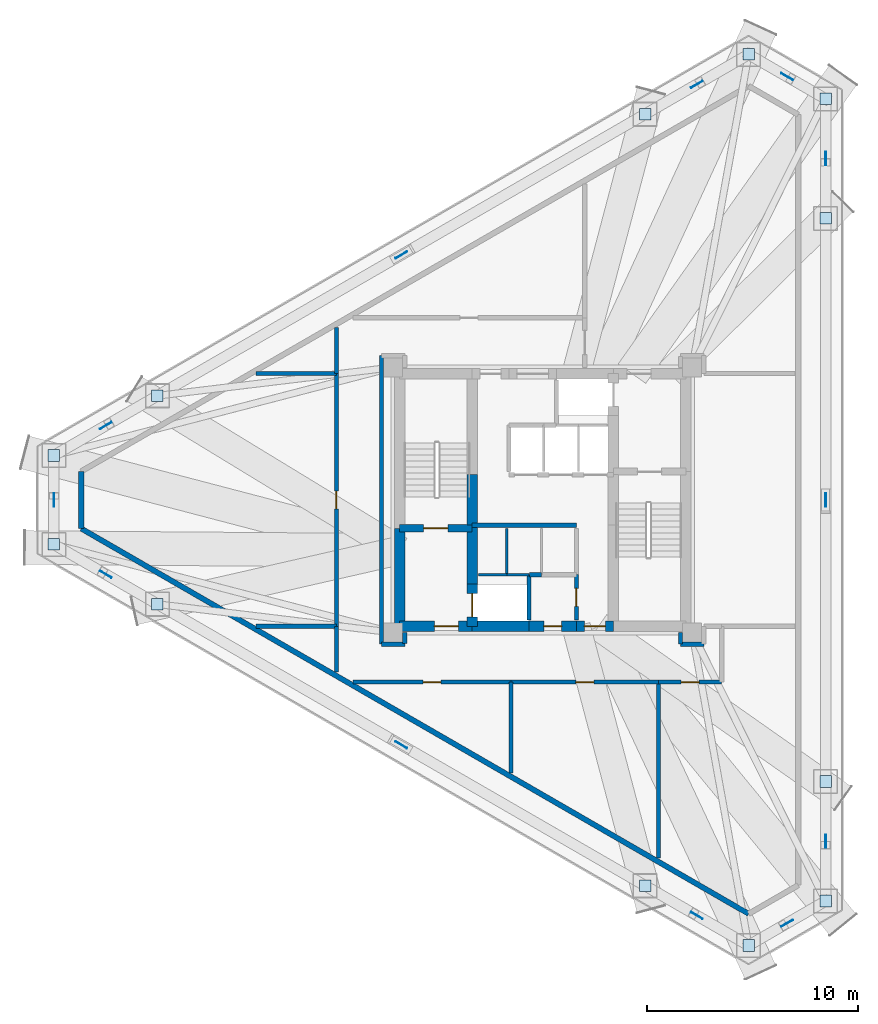
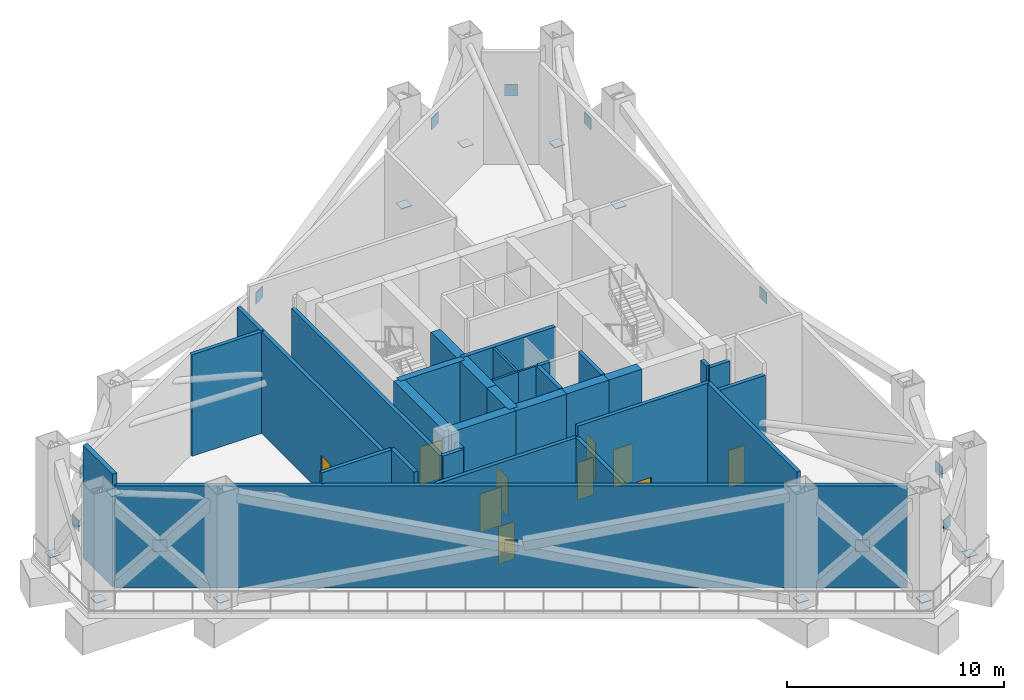
# One storey, part 3 of 7: 33 walls, 24 plates, 10 doors, 10 openings.
"""IFC4 building model written with IfcOpenShell, lengths in metres."""

import ifcopenshell
import ifcopenshell.guid

model = None  # the IFC model being written
_history = None  # IfcOwnerHistory: only IFC2X3 demands one
_inside = {}  # id of a spatial element -> (the spatial element, [elements in it])
_under = {}  # id of a project, library or spatial element -> (it, [spatial elements below it])
_declared = {}  # id of a project -> (the project, [libraries it declares])
_typed = {}  # id of a type object -> (the type object, [elements of that type])
_made_of = {}  # id of a material, layer set ... -> (it, [elements and type objects made of it])


def new_model(schema):
    """Start an empty IFC model of exactly this schema.

    Asked for "IFC4X3", IfcOpenShell would pick the latest addendum, in which some entities
    have other attributes; the version numbers below select the first issue.
    IFC2X3 requires an IfcOwnerHistory on every rooted entity: one is made here for all.
    """
    global model, _history
    if schema == "IFC4X3":
        model = ifcopenshell.file(schema_version=(4, 3, 0, 0))
    else:
        model = ifcopenshell.file(schema=schema)
    _inside.clear()
    _under.clear()
    _declared.clear()
    _typed.clear()
    _made_of.clear()
    _history = None
    if model.schema == "IFC2X3":
        org = make("IfcOrganization", Name="unknown")
        user = make(
            "IfcPersonAndOrganization",
            ThePerson=make("IfcPerson", FamilyName="unknown"),
            TheOrganization=org,
        )
        app = make(
            "IfcApplication",
            ApplicationDeveloper=org,
            Version="unknown",
            ApplicationFullName="unknown",
            ApplicationIdentifier="unknown",
        )
        _history = make(
            "IfcOwnerHistory",
            OwningUser=user,
            OwningApplication=app,
            ChangeAction="ADDED",
            CreationDate=0,
        )
    return model


def make(cls, **values):
    """One entity of the class cls with the attributes given. An attribute that is None is left unset."""
    return model.create_entity(
        cls, **{name: value for name, value in values.items() if value is not None}
    )


def rooted(cls, **values):
    """An entity with a GlobalId (a new one), such as an element, a storey or a relation."""
    return make(cls, GlobalId=ifcopenshell.guid.new(), OwnerHistory=_history, **values)


def si_unit(unit_type, name, prefix=None):
    """IfcSIUnit, for example si_unit("LENGTHUNIT", "METRE", prefix="MILLI")."""
    return make("IfcSIUnit", UnitType=unit_type, Prefix=prefix, Name=name)


def assignment(units):
    """IfcUnitAssignment: the units of a project."""
    return None if units is None else make("IfcUnitAssignment", Units=units)


def point(xyz):
    """IfcCartesianPoint."""
    return None if xyz is None else make("IfcCartesianPoint", Coordinates=xyz)


def direction(xyz):
    """IfcDirection."""
    return None if xyz is None else make("IfcDirection", DirectionRatios=xyz)


def frame(location, z_axis=None, x_axis=None):
    """IfcAxis2Placement3D, a coordinate frame: its origin and axes. An axis left out is left unset."""
    return make(
        "IfcAxis2Placement3D",
        Location=point(location),
        Axis=direction(z_axis),
        RefDirection=direction(x_axis),
    )


def frame_2d(location, x_axis=None):
    """IfcAxis2Placement2D, a coordinate frame in the plane: its origin and x axis."""
    return make(
        "IfcAxis2Placement2D", Location=point(location), RefDirection=direction(x_axis)
    )


def origin():
    """The frame at (0, 0, 0) with its axes left unset."""
    return frame((0.0, 0.0, 0.0))


def origin_2d():
    """The frame at (0, 0) in the plane with its x axis left unset."""
    return frame_2d((0.0, 0.0))


def place(relative_to, where):
    """IfcLocalPlacement: puts the frame where relative to a parent placement (None: the world)."""
    return make(
        "IfcLocalPlacement", PlacementRelTo=relative_to, RelativePlacement=where
    )


def context(
    kind, dimensions, precision=None, world=None, true_north=None, identifier=None
):
    """IfcGeometricRepresentationContext, for example the 3D "Model" context."""
    return make(
        "IfcGeometricRepresentationContext",
        ContextIdentifier=identifier,
        ContextType=kind,
        CoordinateSpaceDimension=dimensions,
        Precision=precision,
        WorldCoordinateSystem=world,
        TrueNorth=true_north,
    )


def subcontext(parent, identifier, kind, view, scale=None):
    """IfcGeometricRepresentationSubContext, for example "Body" below "Model"."""
    return make(
        "IfcGeometricRepresentationSubContext",
        ContextIdentifier=identifier,
        ContextType=kind,
        ParentContext=parent,
        TargetScale=scale,
        TargetView=view,
    )


def project(units=None, contexts=None):
    """IfcProject with its units and contexts."""
    return rooted(
        "IfcProject",
        Name="project",
        RepresentationContexts=contexts,
        UnitsInContext=assignment(units),
    )


def spatial(cls, under=None, at=None, **own):
    """A site, building, storey or space (cls), placed at a placement, below another one or the project."""
    s = rooted(cls, ObjectPlacement=at, **own)
    if under is not None:
        _under.setdefault(under.id(), (under, []))[1].append(s)
    return s


def profile(cls, at=None, kind="AREA", **sizes):
    """A parametric profile (cls). Its sizes go by their IFC names, for example OverallWidth=200.0."""
    return make(cls, ProfileType=kind, Position=at, **sizes)


def rectangle(**sizes):
    """IfcRectangleProfileDef."""
    return profile("IfcRectangleProfileDef", **sizes)


def extrude(swept, where, along, depth):
    """IfcExtrudedAreaSolid: the profile swept, set in the frame where, extruded along a direction by depth."""
    return make(
        "IfcExtrudedAreaSolid",
        SweptArea=swept,
        Position=where,
        ExtrudedDirection=direction(along),
        Depth=depth,
    )


def shape(context_of_items, identifier, shape_type, items):
    """IfcShapeRepresentation: the items that make up one representation, for example the "Body"."""
    return make(
        "IfcShapeRepresentation",
        ContextOfItems=context_of_items,
        RepresentationIdentifier=identifier,
        RepresentationType=shape_type,
        Items=items,
    )


def material(Name=None, Category=None):
    """IfcMaterial."""
    return make("IfcMaterial", Name=Name, Category=Category)


def layer(
    of_material, thickness, ventilated=None, Name=None, Category=None, Priority=None
):
    """IfcMaterialLayer: one layer of a wall or slab, of a material (None: an air gap)."""
    return make(
        "IfcMaterialLayer",
        Material=of_material,
        LayerThickness=thickness,
        IsVentilated=ventilated,
        Name=Name,
        Category=Category,
        Priority=Priority,
    )


def layer_set(layers, Name=None):
    """IfcMaterialLayerSet."""
    return make("IfcMaterialLayerSet", MaterialLayers=layers, LayerSetName=Name)


def made_of(thing, what):
    """Note that an element or type object is made of a material, layer set ...; save() writes the relation."""
    if what is not None:
        _made_of.setdefault(what.id(), (what, []))[1].append(thing)
    return thing


def type_object(cls, material=None, **own):
    """A type object (cls), such as IfcWallType, which elements share."""
    return made_of(rooted(cls, **own), material)


def element(
    cls,
    number,
    at=None,
    inside=None,
    cuts=None,
    type_object=None,
    material=None,
    context=None,
    identifier="Body",
    shape_type=None,
    held_by="IfcProductDefinitionShape",
    body=None,
    shapes=None,
    **own,
):
    """One element of the class cls, such as IfcWall. Its Tag is "e" and its number.

    at: its placement. inside: the storey or other place that contains it. cuts: it is an
    opening in that element (IfcRelVoidsElement). A single representation is given by context,
    identifier, shape_type and body (its items); several are given by shapes. held_by: the class
    of the entity that holds the representations. save() writes the other relations.
    """
    e = rooted(cls, Tag="e%d" % number, ObjectPlacement=at, **own)
    if body is not None:
        shapes = [shape(context, identifier, shape_type, body)]
    if shapes is not None:
        e.Representation = make(held_by, Representations=shapes)
    if inside is not None:
        _inside.setdefault(inside.id(), (inside, []))[1].append(e)
    if cuts is not None:
        rooted(
            "IfcRelVoidsElement", RelatingBuildingElement=cuts, RelatedOpeningElement=e
        )
    if type_object is not None:
        _typed.setdefault(type_object.id(), (type_object, []))[1].append(e)
    return made_of(e, material)


def fill(opening, filler):
    """IfcRelFillsElement: the door or window that sits in an opening."""
    return rooted(
        "IfcRelFillsElement",
        RelatingOpeningElement=opening,
        RelatedBuildingElement=filler,
    )


def aggregate(whole, parts):
    """IfcRelAggregates: a whole, such as a stair, and the parts it consists of."""
    return rooted("IfcRelAggregates", RelatingObject=whole, RelatedObjects=parts)


def save(model, path):
    """Write the relations noted so far, then the file.

    IfcRelAggregates (storeys below a building ...), IfcRelContainedInSpatialStructure (elements
    in a storey), IfcRelDefinesByType, IfcRelAssociatesMaterial and IfcRelDeclares: one each for
    every whole, place, type object, material and project.
    """
    for whole, parts in _under.values():
        aggregate(whole, parts)
    for where, things in _inside.values():
        rooted(
            "IfcRelContainedInSpatialStructure",
            RelatedElements=things,
            RelatingStructure=where,
        )
    for kind, things in _typed.values():
        rooted("IfcRelDefinesByType", RelatedObjects=things, RelatingType=kind)
    for what, things in _made_of.values():
        rooted("IfcRelAssociatesMaterial", RelatedObjects=things, RelatingMaterial=what)
    for by, libraries in _declared.values():
        rooted("IfcRelDeclares", RelatingContext=by, RelatedDefinitions=libraries)
    model.write(path)


model = new_model("IFC4")

# Units and contexts
model_context = context("Model", 3, precision=1e-05, world=origin(), true_north=direction((0.0, 1.0)))
body_context = subcontext(model_context, "Body", "Model", "MODEL_VIEW")
ifc_project = project(units=[si_unit("LENGTHUNIT", "METRE"), si_unit("AREAUNIT", "SQUARE_METRE"), si_unit("VOLUMEUNIT", "CUBIC_METRE"), si_unit("PLANEANGLEUNIT", "RADIAN"), si_unit("MASSUNIT", "GRAM", prefix="KILO")], contexts=[model_context])

# Site, building, storey
site_placement = place(None, origin())
site = spatial("IfcSite", under=ifc_project, at=site_placement, CompositionType="ELEMENT")
building_placement = place(site_placement, origin())
building = spatial("IfcBuilding", under=site, at=building_placement, Name="Mersakhor Tower and Convention Hall", CompositionType="ELEMENT")
storey_placement = place(building_placement, frame((0.0, 0.0, 66.89990234375)))
storey = spatial("IfcBuildingStorey", under=building, at=storey_placement, Name="L18", CompositionType="ELEMENT", Elevation=66.89990234375)

# Plates
ifc_material_1 = material(Name="Steel S355", Category="steel")
ifc_layer_1 = layer(ifc_material_1, 0.031982421875)
ifc_layer_set_1 = layer_set([ifc_layer_1], Name="Steel S355")
plate_type_1 = type_object("IfcPlateType", Name="PL-CAP-32", PredefinedType="SHEET", material=ifc_layer_set_1)
for number, where, z_axis, x_axis, name in (
    (1, (5.78662109375, 28.86083984375, 0.18408203125), (0.0, 0.0, 1.0), (1.0, 0.0, 0.0), "L18 Truss Node Cap Plate NC-01"),
    (2, (10.702392578125, 31.698974609375, 0.18408203125), (0.0, 0.0, 1.0), (1.0, 0.0, 0.0), "L18 Truss Node Cap Plate NC-02"),
    (3, (33.86279296875, 45.070556640625, 0.18408203125), (0.0, 0.0, 1.0), (1.0, 0.0, 0.0), "L18 Truss Node Cap Plate NC-03"),
    (4, (38.77880859375, 47.90869140625, 0.18408203125), (0.0, 0.0, 1.0), (1.0, 0.0, 0.0), "L18 Truss Node Cap Plate NC-04"),
    (5, (42.4345703125, 45.798095703125, 0.18408203125), (0.0, 0.0, 1.0), (1.0, 0.0, 0.0), "L18 Truss Node Cap Plate NC-05"),
    (6, (42.4345703125, 40.12158203125, 0.18408203125), (0.0, 0.0, 1.0), (1.0, 0.0, 0.0), "L18 Truss Node Cap Plate NC-06"),
    (7, (42.4345703125, 13.37841796875, 0.18408203125), (0.0, 0.0, 1.0), (1.0, 0.0, 0.0), "L18 Truss Node Cap Plate NC-07"),
    (8, (42.4345703125, 7.701904296875, 0.18408203125), (0.0, 0.0, 1.0), (1.0, 0.0, 0.0), "L18 Truss Node Cap Plate NC-08"),
    (9, (38.77880859375, 5.59130859375, 0.18408203125), (0.0, 0.0, 1.0), (1.0, 0.0, 0.0), "L18 Truss Node Cap Plate NC-09"),
    (10, (33.86279296875, 8.429443359375, 0.18408203125), (0.0, 0.0, 1.0), (1.0, 0.0, 0.0), "L18 Truss Node Cap Plate NC-10"),
    (11, (10.702392578125, 21.801025390625, 0.18408203125), (0.0, 0.0, 1.0), (1.0, 0.0, 0.0), "L18 Truss Node Cap Plate NC-11"),
    (12, (5.78662109375, 24.63916015625, 0.18408203125), (0.0, 0.0, 1.0), (1.0, 0.0, 0.0), "L18 Truss Node Cap Plate NC-12"),
):
    element("IfcPlate", number, at=place(storey_placement, frame(where, z_axis=z_axis, x_axis=x_axis)), inside=storey, type_object=plate_type_1, Name=name, PredefinedType="SHEET", context=body_context, shape_type="SweptSolid", body=[
        extrude(rectangle(XDim=0.550048828125, YDim=0.550048828125, at=origin_2d()), origin(), (0.0, 0.0, 1.0), 0.031982421875),
    ])
ifc_material_2 = material(Name="Steel S460", Category="steel")
ifc_layer_2 = layer(ifc_material_2, 0.0400390625)
ifc_layer_set_2 = layer_set([ifc_layer_2], Name="Steel S460")
plate_type_2 = type_object("IfcPlateType", Name="PL-GUSSET-40", PredefinedType="SHEET", material=ifc_layer_set_2)
for number, where, z_axis, x_axis, name in (
    (13, (8.24462890625, 30.27978515625, 2.88037109375), (0.0, 0.0, 1.0), (-0.866025403784, -0.5, 0.0), "L18 X-Brace Crossing Gusset Node Plate"),
    (14, (22.28271484375, 38.384765625, 2.88037109375), (0.0, 0.0, 1.0), (-0.866025403784, -0.5, 0.0), "L18 X-Brace Crossing Gusset Node Plate"),
    (15, (36.32080078125, 46.489501953125, 2.88037109375), (0.0, 0.0, 1.0), (-0.866025403784, -0.5, 0.0), "L18 X-Brace Crossing Gusset Node Plate"),
    (16, (40.606689453125, 46.853515625, 2.88037109375), (0.0, 0.0, 1.0), (-0.866025403784, 0.5, 0.0), "L18 X-Brace Crossing Gusset Node Plate"),
    (17, (42.4345703125, 42.9599609375, 2.88037109375), (0.0, 0.0, 1.0), (0.0, 1.0, 0.0), "L18 X-Brace Crossing Gusset Node Plate"),
    (18, (42.4345703125, 26.75, 2.88037109375), (0.0, 0.0, 1.0), (0.0, 1.0, 0.0), "L18 X-Brace Crossing Gusset Node Plate"),
    (19, (42.4345703125, 10.540283203125, 2.88037109375), (0.0, 0.0, 1.0), (0.0, 1.0, 0.0), "L18 X-Brace Crossing Gusset Node Plate"),
    (20, (40.606689453125, 6.646728515625, 2.88037109375), (0.0, 0.0, 1.0), (0.866025403784, 0.5, 0.0), "L18 X-Brace Crossing Gusset Node Plate"),
    (21, (36.32080078125, 7.01025390625, 2.88037109375), (0.0, 0.0, 1.0), (0.866025403784, -0.5, 0.0), "L18 X-Brace Crossing Gusset Node Plate"),
    (22, (22.28271484375, 15.115234375, 2.88037109375), (0.0, 0.0, 1.0), (0.866025403784, -0.5, 0.0), "L18 X-Brace Crossing Gusset Node Plate"),
    (23, (8.24462890625, 23.22021484375, 2.88037109375), (0.0, 0.0, 1.0), (0.866025403784, -0.5, 0.0), "L18 X-Brace Crossing Gusset Node Plate"),
    (24, (5.78662109375, 26.75, 2.88037109375), (0.0, 0.0, 1.0), (0.0, -1.0, 0.0), "L18 X-Brace Crossing Gusset Node Plate"),
):
    element("IfcPlate", number, at=place(storey_placement, frame(where, z_axis=z_axis, x_axis=x_axis)), inside=storey, type_object=plate_type_2, Name=name, PredefinedType="SHEET", context=body_context, shape_type="SweptSolid", body=[
        extrude(rectangle(XDim=0.639892578125, YDim=0.0400390625, at=origin_2d()), origin(), (0.0, 0.0, 1.0), 0.639892578125),
    ])

# Walls
ifc_material_3 = material(Name="Precast concrete C40/50", Category="concrete")
ifc_layer_3 = layer(ifc_material_3, 0.25)
ifc_layer_set_3 = layer_set([ifc_layer_3], Name="Precast concrete C40/50")
wall_type_1 = type_object("IfcWallType", Name="WL-EXT-250", PredefinedType="SOLIDWALL", material=ifc_layer_set_3)
wall_1_placement = place(storey_placement, frame((38.77880859375, 7.09228515625, 0.0), z_axis=(0.0, 0.0, 1.0), x_axis=(-0.866023716119, 0.500002923111, 0.0)))
element("IfcWall", 25, at=wall_1_placement, inside=storey, type_object=wall_type_1, Name="L18 Set-Back Refuge and Plant Enclosure Wall 5", PredefinedType="SOLIDWALL", context=body_context, shape_type="SweptSolid", body=[
    extrude(rectangle(XDim=36.594970703125, YDim=0.25, at=frame_2d((18.29736328125, 0.0))), origin(), (0.0, 0.0, 1.0), 5.722900390625),
])
wall_2_placement = place(storey_placement, frame((7.086669921875, 25.389892578125, 0.0), z_axis=(0.0, 0.0, 1.0), x_axis=(0.0, 1.0, 0.0)))
element("IfcWall", 26, at=wall_2_placement, inside=storey, type_object=wall_type_1, Name="L18 Set-Back Refuge and Plant Enclosure Wall 6", PredefinedType="SOLIDWALL", context=body_context, shape_type="SweptSolid", body=[
    extrude(rectangle(XDim=2.72021484375, YDim=0.25, at=frame_2d((1.360107421875, 0.0))), origin(), (0.0, 0.0, 1.0), 6.35009765625),
])
ifc_material_4 = material(Name="Lightweight gypsum partition", Category="other")
ifc_layer_4 = layer(ifc_material_4, 0.10009765625)
ifc_layer_set_4 = layer_set([ifc_layer_4], Name="Lightweight gypsum partition")
wall_type_2 = type_object("IfcWallType", Name="WL-PRT-100", PredefinedType="PARTITIONING", material=ifc_layer_set_4)
wall_3_placement = place(storey_placement, frame((27.300048828125, 23.199951171875, 0.0), z_axis=(0.0, 0.0, 1.0), x_axis=(1.0, 0.0, 0.0)))
element("IfcWall", 27, at=wall_3_placement, inside=storey, type_object=wall_type_2, Name="L18 Interior Partition Wall P-002", PredefinedType="PARTITIONING", context=body_context, shape_type="SweptSolid", body=[
    extrude(rectangle(XDim=1.050048828125, YDim=0.10009765625, at=frame_2d((0.52490234375, 0.0))), origin(), (0.0, 0.0, 1.0), 6.35009765625),
])
ifc_material_5 = material(Name="Gypsum board acoustic partition", Category="other")
ifc_layer_5 = layer(ifc_material_5, 0.125)
ifc_layer_set_5 = layer_set([ifc_layer_5], Name="Gypsum board acoustic partition")
wall_type_3 = type_object("IfcWallType", Name="WL-PRT-125", PredefinedType="PARTITIONING", material=ifc_layer_set_5)
wall_4_placement = place(storey_placement, frame((25.949951171875, 23.199951171875, 0.0), z_axis=(0.0, 0.0, 1.0), x_axis=(1.0, 0.0, 0.0)))
element("IfcWall", 28, at=wall_4_placement, inside=storey, type_object=wall_type_3, Name="L18 Interior Partition Wall P-001", PredefinedType="PARTITIONING", context=body_context, shape_type="SweptSolid", body=[
    extrude(rectangle(XDim=1.35009765625, YDim=0.125, at=frame_2d((0.675048828125, 0.0))), origin(), (0.0, 0.0, 1.0), 6.35009765625),
])
wall_5_placement = place(storey_placement, frame((27.300048828125, 25.39990234375, 0.0), z_axis=(0.0, 0.0, 1.0), x_axis=(0.0, -1.0, 0.0)))
element("IfcWall", 29, at=wall_5_placement, inside=storey, type_object=wall_type_3, Name="L18 Interior Partition Wall P-007", PredefinedType="PARTITIONING", context=body_context, shape_type="SweptSolid", body=[
    extrude(rectangle(XDim=2.199951171875, YDim=0.125, at=frame_2d((1.10009765625, 0.0))), origin(), (0.0, 0.0, 1.0), 6.35009765625),
])
ifc_material_6 = material(Name="Acoustic concrete blockwork and gypsum board", Category="masonry")
ifc_layer_6 = layer(ifc_material_6, 0.199951171875)
ifc_layer_set_6 = layer_set([ifc_layer_6], Name="Acoustic concrete blockwork and gypsum board")
wall_type_4 = type_object("IfcWallType", Name="WL-PRT-200", PredefinedType="PARTITIONING", material=ifc_layer_set_6)
wall_6_placement = place(storey_placement, frame((25.64990234375, 25.550048828125, 0.0), z_axis=(0.0, 0.0, 1.0), x_axis=(1.0, 0.0, 0.0)))
element("IfcWall", 30, at=wall_6_placement, inside=storey, type_object=wall_type_4, Name="L18 High-Rise Lift Bank Front Wall", PredefinedType="PARTITIONING", context=body_context, shape_type="SweptSolid", body=[
    extrude(rectangle(XDim=4.9501953125, YDim=0.199951171875, at=frame_2d((2.47509765625, 0.0))), origin(), (0.0, 0.0, 1.0), 6.35009765625),
])
wall_7_placement = place(storey_placement, frame((28.35009765625, 23.199951171875, 0.0), z_axis=(0.0, 0.0, 1.0), x_axis=(0.0, -1.0, 0.0)))
element("IfcWall", 31, at=wall_7_placement, inside=storey, type_object=wall_type_4, Name="L18 Interior Partition Wall P-003", PredefinedType="PARTITIONING", context=body_context, shape_type="SweptSolid", body=[
    extrude(rectangle(XDim=2.14990234375, YDim=0.199951171875, at=frame_2d((1.074951171875, 0.0))), origin(), (0.0, 0.0, 1.0), 6.35009765625),
])
wall_8_placement = place(storey_placement, frame((28.949951171875, 23.199951171875, 0.0), z_axis=(0.0, 0.0, 1.0), x_axis=(-1.0, 0.0, 0.0)))
element("IfcWall", 32, at=wall_8_placement, inside=storey, type_object=wall_type_4, Name="L18 Interior Partition Wall P-009", PredefinedType="PARTITIONING", context=body_context, shape_type="SweptSolid", body=[
    extrude(rectangle(XDim=0.570068359375, YDim=0.199951171875, at=frame_2d((0.28515625, 0.0))), origin(), (0.0, 0.0, 1.0), 6.35009765625),
])

# Wall, opening, door
wall_9_placement = place(storey_placement, frame((30.60009765625, 21.050048828125, 0.0), z_axis=(0.0, 0.0, 1.0), x_axis=(0.0, 1.0, 0.0)))
wall_9 = element("IfcWall", 33, at=wall_9_placement, inside=storey, type_object=wall_type_4, Name="L18 Interior Partition Wall P-017", PredefinedType="PARTITIONING", context=body_context, shape_type="SweptSolid", body=[
    extrude(rectangle(XDim=2.14990234375, YDim=0.199951171875, at=frame_2d((1.074951171875, 0.0))), origin(), (0.0, 0.0, 1.0), 6.35009765625),
])
opening_1_placement = place(wall_9_placement, frame((0.64990234375, 0.0, 0.0)))
opening_1 = element("IfcOpeningElement", 34, at=opening_1_placement, cuts=wall_9, Name="Opening SVD-01", PredefinedType="OPENING", context=body_context, shape_type="SweptSolid", body=[
    extrude(rectangle(XDim=0.85009765625, YDim=2.10009765625, at=frame_2d((0.425048828125, 1.050048828125))), frame((0.0, 0.10986328125, 0.0), z_axis=(0.0, -1.0, 0.0), x_axis=(1.0, 0.0, 0.0)), (0.0, 0.0, 1.0), 0.219970703125),
])
ifc_material_7 = material(Name="Fire-rated hardwood leaf and painted steel frame", Category="steel")
door_type_1 = type_object("IfcDoorType", Name="DR-INT-SVC-085x210", OperationType="NOTDEFINED", PredefinedType="DOOR", material=ifc_material_7)
door_1_placement = place(opening_1_placement, origin())
door_1 = element("IfcDoor", 35, at=door_1_placement, inside=storey, type_object=door_type_1, Name="L18 Central Passenger Lift Lobby to Core Electrical Switchgear Plant Room Door", OperationType="SINGLE_SWING_RIGHT", OverallHeight=2.10009765625, OverallWidth=0.85009765625, PredefinedType="DOOR", context=body_context, shape_type="SweptSolid", body=[
    extrude(rectangle(XDim=0.85009765625, YDim=2.10009765625, at=frame_2d((0.425048828125, 1.050048828125))), frame((0.0, 0.02490234375, 0.0), z_axis=(0.0, -1.0, 0.0), x_axis=(1.0, 0.0, 0.0)), (0.0, 0.0, 1.0), 0.050048828125),
])
fill(opening_1, door_1)

# Walls
wall_10_placement = place(storey_placement, frame((21.35009765625, 33.60009765625, 0.0), z_axis=(0.0, 0.0, 1.0), x_axis=(0.0, -1.0, 0.0)))
element("IfcWall", 36, at=wall_10_placement, inside=storey, type_object=wall_type_4, Name="L18 Interior Partition Wall P-022", PredefinedType="PARTITIONING", context=body_context, shape_type="SweptSolid", body=[
    extrude(rectangle(XDim=13.7001953125, YDim=0.199951171875, at=frame_2d((6.85009765625, 0.0))), origin(), (0.0, 0.0, 1.0), 5.722900390625),
])
wall_11_placement = place(storey_placement, frame((21.35009765625, 19.89990234375, 0.0), z_axis=(0.0, 0.0, 1.0), x_axis=(1.0, 0.0, 0.0)))
element("IfcWall", 37, at=wall_11_placement, inside=storey, type_object=wall_type_4, Name="L18 Interior Partition Wall P-023", PredefinedType="PARTITIONING", context=body_context, shape_type="SweptSolid", body=[
    extrude(rectangle(XDim=1.099853515625, YDim=0.199951171875, at=frame_2d((0.5498046875, 0.0))), origin(), (0.0, 0.0, 1.0), 5.722900390625),
])
wall_12_placement = place(storey_placement, frame((22.449951171875, 19.929931640625, 0.0), z_axis=(0.0, 0.0, 1.0), x_axis=(0.0, 1.0, 0.0)))
element("IfcWall", 38, at=wall_12_placement, inside=storey, type_object=wall_type_4, Name="L18 Interior Partition Wall P-024", PredefinedType="PARTITIONING", context=body_context, shape_type="SweptSolid", body=[
    extrude(rectangle(XDim=0.52001953125, YDim=0.199951171875, at=frame_2d((0.260009765625, 0.0))), origin(), (0.0, 0.0, 1.0), 5.722900390625),
])
wall_13_placement = place(storey_placement, frame((35.550048828125, 20.449951171875, 0.0), z_axis=(0.0, 0.0, 1.0), x_axis=(0.0, -1.0, 0.0)))
element("IfcWall", 39, at=wall_13_placement, inside=storey, type_object=wall_type_4, Name="L18 Interior Partition Wall P-025", PredefinedType="PARTITIONING", context=body_context, shape_type="SweptSolid", body=[
    extrude(rectangle(XDim=0.550048828125, YDim=0.199951171875, at=frame_2d((0.27490234375, 0.0))), origin(), (0.0, 0.0, 1.0), 5.79833984375),
])
wall_14_placement = place(storey_placement, frame((35.550048828125, 19.89990234375, 0.0), z_axis=(0.0, 0.0, 1.0), x_axis=(1.0, 0.0, 0.0)))
element("IfcWall", 40, at=wall_14_placement, inside=storey, type_object=wall_type_4, Name="L18 Interior Partition Wall P-026", PredefinedType="PARTITIONING", context=body_context, shape_type="SweptSolid", body=[
    extrude(rectangle(XDim=1.099853515625, YDim=0.199951171875, at=frame_2d((0.5498046875, 0.0))), origin(), (0.0, 0.0, 1.0), 5.722900390625),
])

# Wall, opening, door
wall_15_placement = place(storey_placement, frame((37.5, 18.10009765625, 0.0), z_axis=(0.0, 0.0, 1.0), x_axis=(-1.0, 0.0, 0.0)))
wall_15 = element("IfcWall", 41, at=wall_15_placement, inside=storey, type_object=wall_type_4, Name="L18 Interior Partition Wall P-030", PredefinedType="PARTITIONING", context=body_context, shape_type="SweptSolid", body=[
    extrude(rectangle(XDim=3.0, YDim=0.199951171875, at=frame_2d((1.5, 0.0))), origin(), (0.0, 0.0, 1.0), 5.722900390625),
])
opening_2_placement = place(wall_15_placement, frame((1.074951171875, 0.0, 0.0)))
opening_2 = element("IfcOpeningElement", 42, at=opening_2_placement, cuts=wall_15, Name="Opening SVD-01", PredefinedType="OPENING", context=body_context, shape_type="SweptSolid", body=[
    extrude(rectangle(XDim=0.85009765625, YDim=2.10009765625, at=frame_2d((0.425048828125, 1.050048828125))), frame((0.0, 0.10986328125, 0.0), z_axis=(0.0, -1.0, 0.0), x_axis=(1.0, 0.0, 0.0)), (0.0, 0.0, 1.0), 0.219970703125),
])
door_2_placement = place(opening_2_placement, origin())
door_2 = element("IfcDoor", 43, at=door_2_placement, inside=storey, type_object=door_type_1, Name="L18 L18 Mechanical Plant and Refuge Corridor to Domestic and Fire Booster Pump Plant Room Door", OperationType="SINGLE_SWING_LEFT", OverallHeight=2.10009765625, OverallWidth=0.85009765625, PredefinedType="DOOR", context=body_context, shape_type="SweptSolid", body=[
    extrude(rectangle(XDim=0.85009765625, YDim=2.10009765625, at=frame_2d((0.425048828125, 1.050048828125))), frame((0.0, 0.02490234375, 0.0), z_axis=(0.0, -1.0, 0.0), x_axis=(1.0, 0.0, 0.0)), (0.0, 0.0, 1.0), 0.050048828125),
])
fill(opening_2, door_2)

wall_16_placement = place(storey_placement, frame((34.5, 18.10009765625, 0.0), z_axis=(0.0, 0.0, 1.0), x_axis=(-1.0, 0.0, 0.0)))
wall_16 = element("IfcWall", 44, at=wall_16_placement, inside=storey, type_object=wall_type_4, Name="L18 Interior Partition Wall P-031", PredefinedType="PARTITIONING", context=body_context, shape_type="SweptSolid", body=[
    extrude(rectangle(XDim=7.0, YDim=0.199951171875, at=frame_2d((3.5, 0.0))), origin(), (0.0, 0.0, 1.0), 6.35009765625),
])
opening_3_placement = place(wall_16_placement, frame((3.074951171875, 0.0, 0.0)))
opening_3 = element("IfcOpeningElement", 45, at=opening_3_placement, cuts=wall_16, Name="Opening SVD-01", PredefinedType="OPENING", context=body_context, shape_type="SweptSolid", body=[
    extrude(rectangle(XDim=0.85009765625, YDim=2.10009765625, at=frame_2d((0.425048828125, 1.050048828125))), frame((0.0, 0.10986328125, 0.0), z_axis=(0.0, -1.0, 0.0), x_axis=(1.0, 0.0, 0.0)), (0.0, 0.0, 1.0), 0.219970703125),
])
door_3_placement = place(opening_3_placement, origin())
door_3 = element("IfcDoor", 46, at=door_3_placement, inside=storey, type_object=door_type_1, Name="L18 L18 Mechanical Plant and Refuge Corridor to Smoke Extract Fan Plant Room Door", OperationType="SINGLE_SWING_RIGHT", OverallHeight=2.10009765625, OverallWidth=0.85009765625, PredefinedType="DOOR", context=body_context, shape_type="SweptSolid", body=[
    extrude(rectangle(XDim=0.85009765625, YDim=2.10009765625, at=frame_2d((0.425048828125, 1.050048828125))), frame((0.0, 0.02490234375, 0.0), z_axis=(0.0, -1.0, 0.0), x_axis=(1.0, 0.0, 0.0)), (0.0, 0.0, 1.0), 0.050048828125),
])
fill(opening_3, door_3)

wall_17_placement = place(storey_placement, frame((27.5, 18.10009765625, 0.0), z_axis=(0.0, 0.0, 1.0), x_axis=(-1.0, 0.0, 0.0)))
wall_17 = element("IfcWall", 47, at=wall_17_placement, inside=storey, type_object=wall_type_4, Name="L18 Interior Partition Wall P-032", PredefinedType="PARTITIONING", context=body_context, shape_type="SweptSolid", body=[
    extrude(rectangle(XDim=7.51611328125, YDim=0.199951171875, at=frame_2d((3.758056640625, 0.0))), origin(), (0.0, 0.0, 1.0), 5.722900390625),
])
opening_4_placement = place(wall_17_placement, frame((3.3330078125, 0.0, 0.0)))
opening_4 = element("IfcOpeningElement", 48, at=opening_4_placement, cuts=wall_17, Name="Opening SVD-01", PredefinedType="OPENING", context=body_context, shape_type="SweptSolid", body=[
    extrude(rectangle(XDim=0.85009765625, YDim=2.10009765625, at=frame_2d((0.425048828125, 1.050048828125))), frame((0.0, 0.10986328125, 0.0), z_axis=(0.0, -1.0, 0.0), x_axis=(1.0, 0.0, 0.0)), (0.0, 0.0, 1.0), 0.219970703125),
])
door_4_placement = place(opening_4_placement, origin())
door_4 = element("IfcDoor", 49, at=door_4_placement, inside=storey, type_object=door_type_1, Name="L18 L18 Mechanical Plant and Refuge Corridor to HV Electrical Switchgear Plant Room Door", OperationType="SINGLE_SWING_LEFT", OverallHeight=2.10009765625, OverallWidth=0.85009765625, PredefinedType="DOOR", context=body_context, shape_type="SweptSolid", body=[
    extrude(rectangle(XDim=0.85009765625, YDim=2.10009765625, at=frame_2d((0.425048828125, 1.050048828125))), frame((0.0, 0.02490234375, 0.0), z_axis=(0.0, -1.0, 0.0), x_axis=(1.0, 0.0, 0.0)), (0.0, 0.0, 1.0), 0.050048828125),
])
fill(opening_4, door_4)

# Wall
wall_18_placement = place(storey_placement, frame((19.199951171875, 18.568115234375, 0.0), z_axis=(0.0, 0.0, 1.0), x_axis=(0.0, 1.0, 0.0)))
element("IfcWall", 50, at=wall_18_placement, inside=storey, type_object=wall_type_4, Name="L18 Interior Partition Wall P-033", PredefinedType="PARTITIONING", context=body_context, shape_type="SweptSolid", body=[
    extrude(rectangle(XDim=2.181884765625, YDim=0.199951171875, at=frame_2d((1.0908203125, 0.0))), origin(), (0.0, 0.0, 1.0), 6.35009765625),
])

# Wall, opening, door
wall_19_placement = place(storey_placement, frame((19.199951171875, 20.75, 0.0), z_axis=(0.0, 0.0, 1.0), x_axis=(0.0, 1.0, 0.0)))
wall_19 = element("IfcWall", 51, at=wall_19_placement, inside=storey, type_object=wall_type_4, Name="L18 Interior Partition Wall P-034", PredefinedType="PARTITIONING", context=body_context, shape_type="SweptSolid", body=[
    extrude(rectangle(XDim=12.0, YDim=0.199951171875, at=frame_2d((6.0, 0.0))), origin(), (0.0, 0.0, 1.0), 5.722900390625),
])
opening_5_placement = place(wall_19_placement, frame((5.574951171875, 0.0, 0.0)))
opening_5 = element("IfcOpeningElement", 52, at=opening_5_placement, cuts=wall_19, Name="Opening SVD-01", PredefinedType="OPENING", context=body_context, shape_type="SweptSolid", body=[
    extrude(rectangle(XDim=0.85009765625, YDim=2.10009765625, at=frame_2d((0.425048828125, 1.050048828125))), frame((0.0, 0.10986328125, 0.0), z_axis=(0.0, -1.0, 0.0), x_axis=(1.0, 0.0, 0.0)), (0.0, 0.0, 1.0), 0.219970703125),
])
door_5_placement = place(opening_5_placement, origin())
door_5 = element("IfcDoor", 53, at=door_5_placement, inside=storey, type_object=door_type_1, Name="L18 L18 Mechanical Plant and Refuge Corridor to Chilled Water Heat Exchanger Plant Room Door", OperationType="SINGLE_SWING_RIGHT", OverallHeight=2.10009765625, OverallWidth=0.85009765625, PredefinedType="DOOR", context=body_context, shape_type="SweptSolid", body=[
    extrude(rectangle(XDim=0.85009765625, YDim=2.10009765625, at=frame_2d((0.425048828125, 1.050048828125))), frame((0.0, 0.02490234375, 0.0), z_axis=(0.0, -1.0, 0.0), x_axis=(1.0, 0.0, 0.0)), (0.0, 0.0, 1.0), 0.050048828125),
])
fill(opening_5, door_5)

# Walls
wall_20_placement = place(storey_placement, frame((19.199951171875, 32.75, 0.0), z_axis=(0.0, 0.0, 1.0), x_axis=(0.0, 1.0, 0.0)))
element("IfcWall", 54, at=wall_20_placement, inside=storey, type_object=wall_type_4, Name="L18 Interior Partition Wall P-035", PredefinedType="PARTITIONING", context=body_context, shape_type="SweptSolid", body=[
    extrude(rectangle(XDim=2.181884765625, YDim=0.199951171875, at=frame_2d((1.0908203125, 0.0))), origin(), (0.0, 0.0, 1.0), 5.722900390625),
])
wall_21_placement = place(storey_placement, frame((15.39404296875, 32.75, 0.0), z_axis=(0.0, 0.0, 1.0), x_axis=(1.0, 0.0, 0.0)))
element("IfcWall", 55, at=wall_21_placement, inside=storey, type_object=wall_type_4, Name="L18 Interior Partition Wall P-041", PredefinedType="PARTITIONING", context=body_context, shape_type="SweptSolid", body=[
    extrude(rectangle(XDim=3.805908203125, YDim=0.199951171875, at=frame_2d((1.90283203125, 0.0))), origin(), (0.0, 0.0, 1.0), 5.722900390625),
])
wall_22_placement = place(storey_placement, frame((19.199951171875, 20.75, 0.0), z_axis=(0.0, 0.0, 1.0), x_axis=(-1.0, 0.0, 0.0)))
element("IfcWall", 56, at=wall_22_placement, inside=storey, type_object=wall_type_4, Name="L18 Interior Partition Wall P-042", PredefinedType="PARTITIONING", context=body_context, shape_type="SweptSolid", body=[
    extrude(rectangle(XDim=3.805908203125, YDim=0.199951171875, at=frame_2d((1.90283203125, 0.0))), origin(), (0.0, 0.0, 1.0), 6.35009765625),
])
wall_23_placement = place(storey_placement, frame((27.5, 18.10009765625, 0.0), z_axis=(0.0, 0.0, 1.0), x_axis=(0.0, -1.0, 0.0)))
element("IfcWall", 57, at=wall_23_placement, inside=storey, type_object=wall_type_4, Name="L18 Interior Partition Wall P-043", PredefinedType="PARTITIONING", context=body_context, shape_type="SweptSolid", body=[
    extrude(rectangle(XDim=4.323974609375, YDim=0.199951171875, at=frame_2d((2.162109375, 0.0))), origin(), (0.0, 0.0, 1.0), 5.722900390625),
])
wall_24_placement = place(storey_placement, frame((34.5, 18.10009765625, 0.0), z_axis=(0.0, 0.0, 1.0), x_axis=(0.0, -1.0, 0.0)))
element("IfcWall", 58, at=wall_24_placement, inside=storey, type_object=wall_type_4, Name="L18 Interior Partition Wall P-044", PredefinedType="PARTITIONING", context=body_context, shape_type="SweptSolid", body=[
    extrude(rectangle(XDim=8.365234375, YDim=0.199951171875, at=frame_2d((4.1826171875, 0.0))), origin(), (0.0, 0.0, 1.0), 6.35009765625),
])

# Wall, opening, door
ifc_material_8 = material(Name="Concrete C50/60", Category="concrete")
ifc_layer_7 = layer(ifc_material_8, 0.35009765625)
ifc_layer_set_7 = layer_set([ifc_layer_7], Name="Concrete C50/60")
wall_type_5 = type_object("IfcWallType", Name="WL-SHR-350", PredefinedType="SHEAR", material=ifc_layer_set_7)
wall_25_placement = place(storey_placement, frame((22.199951171875, 25.39990234375, 0.0), z_axis=(0.0, 0.0, 1.0), x_axis=(1.0, 0.0, 0.0)))
wall_25 = element("IfcWall", 59, at=wall_25_placement, inside=storey, type_object=wall_type_5, Name="L18 Core Wall CS-ST1-S", PredefinedType="SHEAR", context=body_context, shape_type="SweptSolid", body=[
    extrude(rectangle(XDim=3.449951171875, YDim=0.35009765625, at=frame_2d((1.72509765625, 0.0))), origin(), (0.0, 0.0, 1.0), 6.35009765625),
])
opening_6_placement = place(wall_25_placement, frame((1.14990234375, 0.0, 0.0)))
opening_6 = element("IfcOpeningElement", 60, at=opening_6_placement, cuts=wall_25, Name="Opening SD-01", PredefinedType="OPENING", context=body_context, shape_type="SweptSolid", body=[
    extrude(rectangle(XDim=1.14990234375, YDim=2.14990234375, at=frame_2d((0.574951171875, 1.074951171875))), frame((0.0, 0.18505859375, 0.0), z_axis=(0.0, -1.0, 0.0), x_axis=(1.0, 0.0, 0.0)), (0.0, 0.0, 1.0), 0.3701171875),
])
ifc_material_9 = material(Name="Fire-rated hardwood leaf and painted steel frame", Category="steel")
door_type_2 = type_object("IfcDoorType", Name="DR-INT-STAIR-115x215", OperationType="NOTDEFINED", PredefinedType="DOOR", material=ifc_material_9)
door_6_placement = place(opening_6_placement, origin())
door_6 = element("IfcDoor", 61, at=door_6_placement, inside=storey, type_object=door_type_2, Name="L18 Exit Stair ST-1 Enclosure Door", OperationType="SINGLE_SWING_LEFT", OverallHeight=2.14990234375, OverallWidth=1.14990234375, PredefinedType="DOOR", context=body_context, shape_type="SweptSolid", body=[
    extrude(rectangle(XDim=1.14990234375, YDim=2.14990234375, at=frame_2d((0.574951171875, 1.074951171875))), frame((0.0, 0.02490234375, 0.0), z_axis=(0.0, -1.0, 0.0), x_axis=(1.0, 0.0, 0.0)), (0.0, 0.0, 1.0), 0.050048828125),
])
fill(opening_6, door_6)

# Wall
ifc_material_10 = material(Name="Concrete C70/85", Category="concrete")
ifc_layer_8 = layer(ifc_material_10, 0.5)
ifc_layer_set_8 = layer_set([ifc_layer_8], Name="Concrete C70/85")
wall_type_6 = type_object("IfcWallType", Name="WL-SHR-500", PredefinedType="SHEAR", material=ifc_layer_set_8)
wall_26_placement = place(storey_placement, frame((22.199951171875, 20.75, 0.0), z_axis=(0.0, 0.0, 1.0), x_axis=(0.0, 1.0, 0.0)))
element("IfcWall", 62, at=wall_26_placement, inside=storey, type_object=wall_type_6, Name="L18 Core Wall CW-W1", PredefinedType="SHEAR", context=body_context, shape_type="SweptSolid", body=[
    extrude(rectangle(XDim=4.64990234375, YDim=0.5, at=frame_2d((2.324951171875, 0.0))), origin(), (0.0, 0.0, 1.0), 6.35009765625),
])

# Wall, opening, door
wall_27_placement = place(storey_placement, frame((32.35009765625, 20.75, 0.0), z_axis=(0.0, 0.0, 1.0), x_axis=(-1.0, 0.0, 0.0)))
wall_27 = element("IfcWall", 63, at=wall_27_placement, inside=storey, type_object=wall_type_6, Name="L18 Core Wall CW-S2A", PredefinedType="SHEAR", context=body_context, shape_type="SweptSolid", body=[
    extrude(rectangle(XDim=1.75, YDim=0.5, at=frame_2d((0.875, 0.0))), origin(), (0.0, 0.0, 1.0), 6.35009765625),
])
opening_7_placement = place(wall_27_placement, frame((0.375, 0.0, 0.0)))
opening_7 = element("IfcOpeningElement", 64, at=opening_7_placement, cuts=wall_27, Name="Opening CFD-01", PredefinedType="OPENING", context=body_context, shape_type="SweptSolid", body=[
    extrude(rectangle(XDim=1.0, YDim=2.14990234375, at=frame_2d((0.5, 1.074951171875))), frame((0.0, 0.260009765625, 0.0), z_axis=(0.0, -1.0, 0.0), x_axis=(1.0, 0.0, 0.0)), (0.0, 0.0, 1.0), 0.52001953125),
])
ifc_material_11 = material(Name="Fire-rated hardwood leaf and painted steel frame", Category="steel")
door_type_3 = type_object("IfcDoorType", Name="DR-CORE-FD-100x215", OperationType="NOTDEFINED", PredefinedType="DOOR", material=ifc_material_11)
door_7_placement = place(opening_7_placement, origin())
door_7 = element("IfcDoor", 65, at=door_7_placement, inside=storey, type_object=door_type_3, Name="L18 Lift Lobby South Corridor Door", OperationType="SINGLE_SWING_RIGHT", OverallHeight=2.14990234375, OverallWidth=1.0, PredefinedType="DOOR", context=body_context, shape_type="SweptSolid", body=[
    extrude(rectangle(XDim=1.0, YDim=2.14990234375, at=frame_2d((0.5, 1.074951171875))), frame((0.0, 0.02490234375, 0.0), z_axis=(0.0, -1.0, 0.0), x_axis=(1.0, 0.0, 0.0)), (0.0, 0.0, 1.0), 0.050048828125),
])
fill(opening_7, door_7)

wall_28_placement = place(storey_placement, frame((30.60009765625, 20.75, 0.0), z_axis=(0.0, 0.0, 1.0), x_axis=(-1.0, 0.0, 0.0)))
wall_28 = element("IfcWall", 66, at=wall_28_placement, inside=storey, type_object=wall_type_6, Name="L18 Core Wall CW-S2B", PredefinedType="SHEAR", context=body_context, shape_type="SweptSolid", body=[
    extrude(rectangle(XDim=2.25, YDim=0.5, at=frame_2d((1.125, 0.0))), origin(), (0.0, 0.0, 1.0), 6.35009765625),
])
opening_8_placement = place(wall_28_placement, frame((0.699951171875, 0.0, 0.0)))
opening_8 = element("IfcOpeningElement", 67, at=opening_8_placement, cuts=wall_28, Name="Opening SVD-01", PredefinedType="OPENING", context=body_context, shape_type="SweptSolid", body=[
    extrude(rectangle(XDim=0.85009765625, YDim=2.10009765625, at=frame_2d((0.425048828125, 1.050048828125))), frame((0.0, 0.260009765625, 0.0), z_axis=(0.0, -1.0, 0.0), x_axis=(1.0, 0.0, 0.0)), (0.0, 0.0, 1.0), 0.52001953125),
])
door_8_placement = place(opening_8_placement, origin())
door_8 = element("IfcDoor", 68, at=door_8_placement, inside=storey, type_object=door_type_1, Name="L18 L18 Mechanical Plant and Refuge Corridor to Core Electrical Switchgear Plant Room Door", OperationType="SINGLE_SWING_LEFT", OverallHeight=2.10009765625, OverallWidth=0.85009765625, PredefinedType="DOOR", context=body_context, shape_type="SweptSolid", body=[
    extrude(rectangle(XDim=0.85009765625, YDim=2.10009765625, at=frame_2d((0.425048828125, 1.050048828125))), frame((0.0, 0.02490234375, 0.0), z_axis=(0.0, -1.0, 0.0), x_axis=(1.0, 0.0, 0.0)), (0.0, 0.0, 1.0), 0.050048828125),
])
fill(opening_8, door_8)

# Wall
wall_29_placement = place(storey_placement, frame((28.35009765625, 20.75, 0.0), z_axis=(0.0, 0.0, 1.0), x_axis=(-1.0, 0.0, 0.0)))
element("IfcWall", 69, at=wall_29_placement, inside=storey, type_object=wall_type_6, Name="L18 Core Wall CW-S3", PredefinedType="SHEAR", context=body_context, shape_type="SweptSolid", body=[
    extrude(rectangle(XDim=2.7001953125, YDim=0.5, at=frame_2d((1.35009765625, 0.0))), origin(), (0.0, 0.0, 1.0), 6.35009765625),
])

# Wall, opening, door
wall_30_placement = place(storey_placement, frame((25.64990234375, 20.75, 0.0), z_axis=(0.0, 0.0, 1.0), x_axis=(-1.0, 0.0, 0.0)))
wall_30 = element("IfcWall", 70, at=wall_30_placement, inside=storey, type_object=wall_type_6, Name="L18 Core Wall CW-S4", PredefinedType="SHEAR", context=body_context, shape_type="SweptSolid", body=[
    extrude(rectangle(XDim=3.449951171875, YDim=0.5, at=frame_2d((1.72509765625, 0.0))), origin(), (0.0, 0.0, 1.0), 6.35009765625),
])
opening_9_placement = place(wall_30_placement, frame((0.64990234375, 0.0, 0.0)))
opening_9 = element("IfcOpeningElement", 71, at=opening_9_placement, cuts=wall_30, Name="Opening SD-01", PredefinedType="OPENING", context=body_context, shape_type="SweptSolid", body=[
    extrude(rectangle(XDim=1.14990234375, YDim=2.14990234375, at=frame_2d((0.574951171875, 1.074951171875))), frame((0.0, 0.260009765625, 0.0), z_axis=(0.0, -1.0, 0.0), x_axis=(1.0, 0.0, 0.0)), (0.0, 0.0, 1.0), 0.52001953125),
])
door_9_placement = place(opening_9_placement, origin())
door_9 = element("IfcDoor", 72, at=door_9_placement, inside=storey, type_object=door_type_2, Name="L18 Firefighting Lobby West Fire Door", OperationType="SINGLE_SWING_LEFT", OverallHeight=2.14990234375, OverallWidth=1.14990234375, PredefinedType="DOOR", context=body_context, shape_type="SweptSolid", body=[
    extrude(rectangle(XDim=1.14990234375, YDim=2.14990234375, at=frame_2d((0.574951171875, 1.074951171875))), frame((0.0, 0.02490234375, 0.0), z_axis=(0.0, -1.0, 0.0), x_axis=(1.0, 0.0, 0.0)), (0.0, 0.0, 1.0), 0.050048828125),
])
fill(opening_9, door_9)

wall_31_placement = place(storey_placement, frame((25.64990234375, 20.75, 0.0), z_axis=(0.0, 0.0, 1.0), x_axis=(0.0, 1.0, 0.0)))
wall_31 = element("IfcWall", 73, at=wall_31_placement, inside=storey, type_object=wall_type_6, Name="L18 Core Wall CS-W-FFL", PredefinedType="SHEAR", context=body_context, shape_type="SweptSolid", body=[
    extrude(rectangle(XDim=2.0, YDim=0.5, at=frame_2d((1.0, 0.0))), origin(), (0.0, 0.0, 1.0), 6.35009765625),
])
opening_10_placement = place(wall_31_placement, frame((0.449951171875, 0.0, 0.0)))
opening_10 = element("IfcOpeningElement", 74, at=opening_10_placement, cuts=wall_31, Name="Opening LD-FFL1", PredefinedType="OPENING", context=body_context, shape_type="SweptSolid", body=[
    extrude(rectangle(XDim=1.10009765625, YDim=2.14990234375, at=frame_2d((0.550048828125, 1.074951171875))), frame((0.0, 0.260009765625, 0.0), z_axis=(0.0, -1.0, 0.0), x_axis=(1.0, 0.0, 0.0)), (0.0, 0.0, 1.0), 0.52001953125),
])
ifc_material_12 = material(Name="Fire-rated brushed stainless steel sliding landing door", Category="steel")
door_type_4 = type_object("IfcDoorType", Name="DR-LIFT-SLD-110x215", OperationType="NOTDEFINED", PredefinedType="DOOR", material=ifc_material_12)
door_10_placement = place(opening_10_placement, origin())
door_10 = element("IfcDoor", 75, at=door_10_placement, inside=storey, type_object=door_type_4, Name="L18 Firefighting Lift Landing Door LD-FFL1", OperationType="SLIDING_TO_LEFT", OverallHeight=2.14990234375, OverallWidth=1.10009765625, PredefinedType="DOOR", context=body_context, shape_type="SweptSolid", body=[
    extrude(rectangle(XDim=1.10009765625, YDim=2.14990234375, at=frame_2d((0.550048828125, 1.074951171875))), frame((0.0, 0.02490234375, 0.0), z_axis=(0.0, -1.0, 0.0), x_axis=(1.0, 0.0, 0.0)), (0.0, 0.0, 1.0), 0.050048828125),
])
fill(opening_10, door_10)

# Walls
wall_32_placement = place(storey_placement, frame((25.64990234375, 22.75, 0.0), z_axis=(0.0, 0.0, 1.0), x_axis=(0.0, 1.0, 0.0)))
element("IfcWall", 76, at=wall_32_placement, inside=storey, type_object=wall_type_6, Name="L18 Core Wall CS-W-MID", PredefinedType="SHEAR", context=body_context, shape_type="SweptSolid", body=[
    extrude(rectangle(XDim=2.800048828125, YDim=0.5, at=frame_2d((1.39990234375, 0.0))), origin(), (0.0, 0.0, 1.0), 6.35009765625),
])
wall_33_placement = place(storey_placement, frame((25.64990234375, 25.550048828125, 0.0), z_axis=(0.0, 0.0, 1.0), x_axis=(0.0, 1.0, 0.0)))
element("IfcWall", 77, at=wall_33_placement, inside=storey, type_object=wall_type_6, Name="L18 Core Wall CS-W-LOB", PredefinedType="SHEAR", context=body_context, shape_type="SweptSolid", body=[
    extrude(rectangle(XDim=2.39990234375, YDim=0.5, at=frame_2d((1.199951171875, 0.0))), origin(), (0.0, 0.0, 1.0), 6.35009765625),
])

save(model, "model.ifc")
